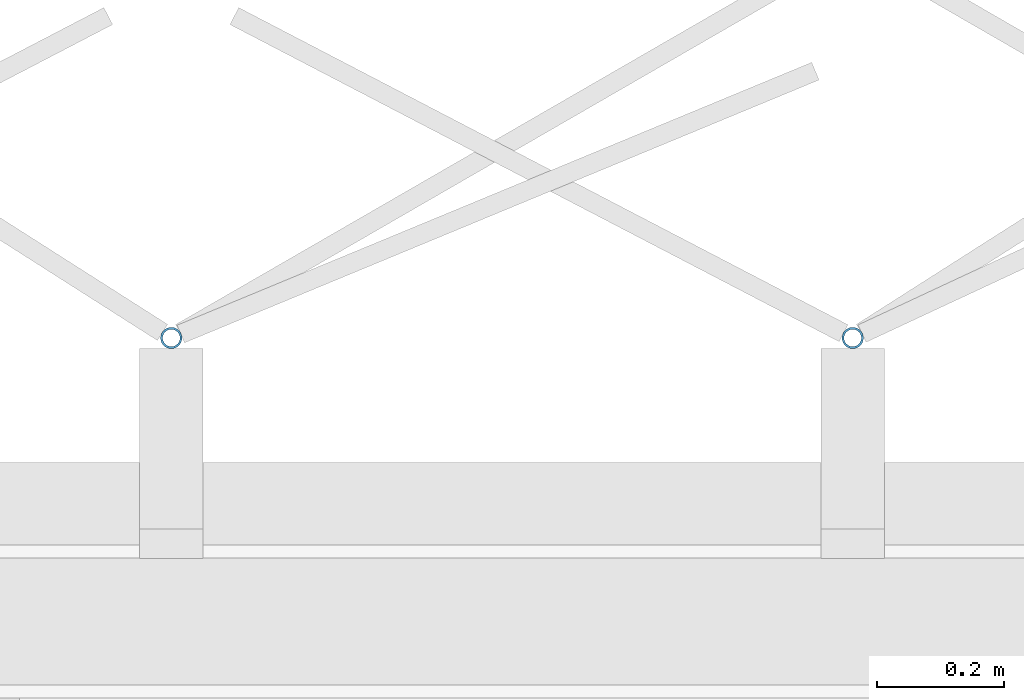
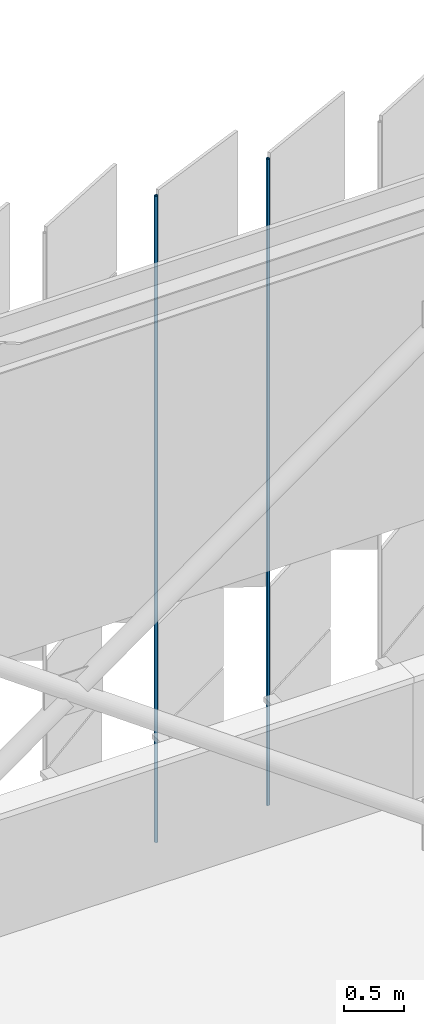
# One storey, part 352 of 483: 2 discrete accessories.
"""IFC4 building model written with IfcOpenShell, lengths in metres."""

from ifc_helpers import new_model, si_unit, direction, frame, origin, origin_2d, place, context, subcontext, project, spatial, hollow_circle, extrude, material, material_profile, profile_set, type_object, element, save


model = new_model("IFC4")

# Units and contexts
model_context = context("Model", 3, precision=1e-05, world=origin(), true_north=direction((0.0, 1.0)))
body_context = subcontext(model_context, "Body", "Model", "MODEL_VIEW")
ifc_project = project(units=[si_unit("LENGTHUNIT", "METRE"), si_unit("AREAUNIT", "SQUARE_METRE"), si_unit("VOLUMEUNIT", "CUBIC_METRE"), si_unit("PLANEANGLEUNIT", "RADIAN"), si_unit("MASSUNIT", "GRAM", prefix="KILO")], contexts=[model_context])

# Site, building, storey
site_placement = place(None, origin())
site = spatial("IfcSite", under=ifc_project, at=site_placement, CompositionType="ELEMENT")
building_placement = place(site_placement, origin())
building = spatial("IfcBuilding", under=site, at=building_placement, Name="Parallax Yard Mobility Hub", CompositionType="ELEMENT")
storey_placement = place(building_placement, frame((0.0, 0.0, 13.199951171875)))
storey = spatial("IfcBuildingStorey", under=building, at=storey_placement, Name="L04", CompositionType="ELEMENT", Elevation=13.199951171875)

# Discrete accessories
ifc_material = material(Name="Steel ASTM A500 Gr C, hot-dip galvanised", Category="steel")
ifc_material_profile = material_profile(ifc_material, hollow_circle(Radius=0.016845703125, WallThickness=0.003173828125, at=origin_2d()), Name="CHS 33.7x3.2")
ifc_profile_set = profile_set([ifc_material_profile], Name="Steel ASTM A500 Gr C, hot-dip galvanised")
discrete_accessory_type = type_object("IfcDiscreteAccessoryType", Name="Hinge post CHS 33.7x3.2", PredefinedType="BRACKET", material=ifc_profile_set)
for number, where, z_axis, x_axis, name in (
    (1, (118.924072265625, 142.800048828125, 0.0), (0.0, 0.0, 1.0), (1.0, 0.0, 0.0), "Hinge post bay 58.2 level L04"),
    (2, (117.8525390625, 142.800048828125, 0.0), (0.0, 0.0, 1.0), (1.0, 0.0, 0.0), "Hinge post bay 58.3 level L04"),
):
    element("IfcDiscreteAccessory", number, at=place(storey_placement, frame(where, z_axis=z_axis, x_axis=x_axis)), inside=storey, type_object=discrete_accessory_type, Name=name, PredefinedType="BRACKET", context=body_context, shape_type="SweptSolid", body=[
        extrude(hollow_circle(Radius=0.016845703125, WallThickness=0.003173828125, at=origin_2d()), origin(), (0.0, 0.0, 1.0), 6.550048828125),
    ])

save(model, "model.ifc")
